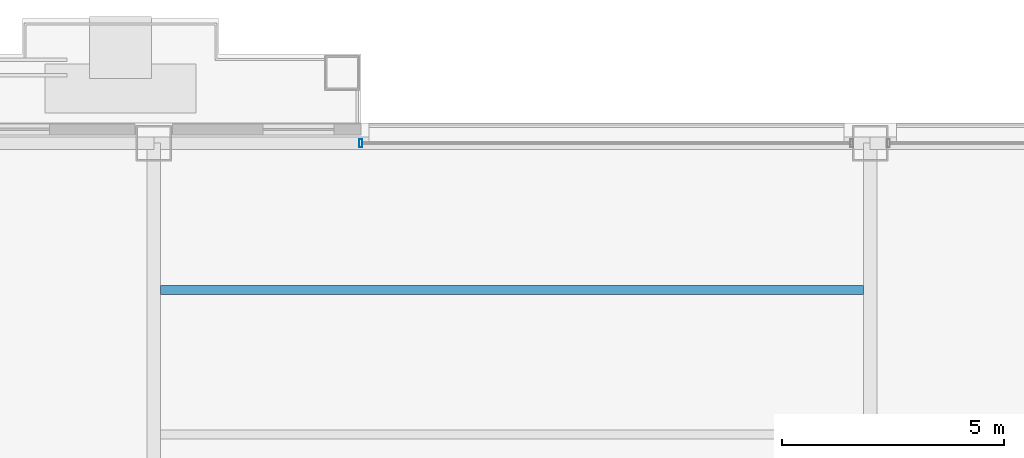
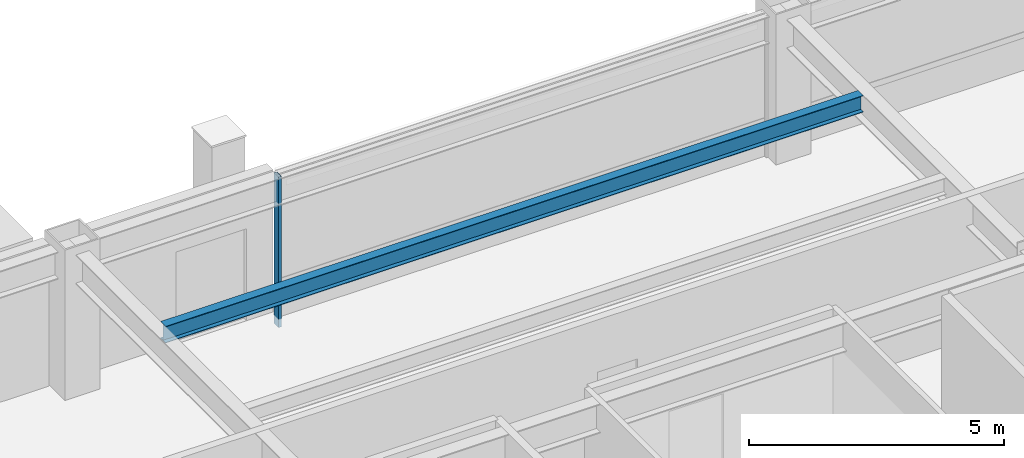
# One storey, part 21 of 35: 1 beam, 1 member, 1 element without a shape of its own.
"""IFC4 building model written with IfcOpenShell, lengths in metres."""

from ifc_helpers import new_model, si_unit, direction, frame, origin, origin_2d, place, context, subcontext, project, spatial, hollow_rectangle, i_section, extrude, material, layer, layer_set, material_profile, profile_set, type_object, element, aggregate, save


model = new_model("IFC4")

# Units and contexts
model_context = context("Model", 3, precision=1e-05, world=origin(), true_north=direction((0.0, 1.0)))
body_context = subcontext(model_context, "Body", "Model", "MODEL_VIEW")
ifc_project = project(units=[si_unit("LENGTHUNIT", "METRE"), si_unit("AREAUNIT", "SQUARE_METRE"), si_unit("VOLUMEUNIT", "CUBIC_METRE"), si_unit("PLANEANGLEUNIT", "RADIAN"), si_unit("MASSUNIT", "GRAM", prefix="KILO")], contexts=[model_context])

# Site, building, storey
site_placement = place(None, origin())
site = spatial("IfcSite", under=ifc_project, at=site_placement, CompositionType="ELEMENT")
building_placement = place(site_placement, origin())
building = spatial("IfcBuilding", under=site, at=building_placement, Name="Brelmoor Portico Tower", CompositionType="ELEMENT")
storey_placement = place(building_placement, frame((0.0, 0.0, 131.39990234375)))
storey = spatial("IfcBuildingStorey", under=building, at=storey_placement, Name="L34", CompositionType="ELEMENT", Elevation=131.39990234375)

# Beam
ifc_material_1 = material(Name="Steel Q355B", Category="steel")
ifc_material_profile_1 = material_profile(ifc_material_1, i_section(OverallWidth=0.199951171875, OverallDepth=0.39990234375, WebThickness=0.008056640625, FlangeThickness=0.012939453125, at=origin_2d()), Name="HN 400x200x8x13")
ifc_profile_set_1 = profile_set([ifc_material_profile_1], Name="Steel Q355B")
beam_type = type_object("IfcBeamType", Name="BM-JS-400", PredefinedType="JOIST", material=ifc_profile_set_1)
beam_placement = place(storey_placement, frame((-7.89990234375, 16.25, 3.2001953125), z_axis=(1.0, 0.0, 0.0), x_axis=(0.0, 1.0, 0.0)))
element("IfcBeam", 1, at=beam_placement, inside=storey, type_object=beam_type, Name="L34 Secondary Composite Joist JS-C04", PredefinedType="JOIST", context=body_context, shape_type="SweptSolid", body=[
    extrude(i_section(OverallWidth=0.199951171875, OverallDepth=0.39990234375, WebThickness=0.008056640625, FlangeThickness=0.012939453125, at=origin_2d()), origin(), (0.0, 0.0, 1.0), 15.7998046875),
])

# Curtain wall, member
ifc_material_2 = material(Name="Anodised Aluminium Alloy 6063-T6", Category="aluminium")
ifc_layer = layer(ifc_material_2, 0.179931640625)
ifc_layer_set = layer_set([ifc_layer], Name="Anodised Aluminium Alloy 6063-T6")
curtain_wall_type = type_object("IfcCurtainWallType", Name="CW-TOWER-Z2", PredefinedType="NOTDEFINED", material=ifc_layer_set)
curtain_wall_placement = place(storey_placement, origin())
curtain_wall = element("IfcCurtainWall", 2, at=curtain_wall_placement, inside=storey, type_object=curtain_wall_type, Name="L34 Curtain Wall CW-L34-2R-1", PredefinedType="NOTDEFINED")
ifc_material_profile_2 = material_profile(ifc_material_2, hollow_rectangle(XDim=0.06494140625, YDim=0.179931640625, WallThickness=0.00390625, at=origin_2d()), Name="ALU MULLION 65x180")
ifc_profile_set_2 = profile_set([ifc_material_profile_2], Name="Anodised Aluminium Alloy 6063-T6")
member_type = type_object("IfcMemberType", Name="MB-CW-MULL-180", PredefinedType="MULLION", material=ifc_profile_set_2)
member_placement = place(storey_placement, frame((-3.39990234375, 19.550048828125, -0.199951171875), z_axis=(0.0, 0.0, 1.0), x_axis=(1.0, 0.0, 0.0)))
member = element("IfcMember", 3, at=member_placement, type_object=member_type, Name="CW-L34-2R-1 Mullion 00", PredefinedType="MULLION", context=body_context, shape_type="SweptSolid", body=[
    extrude(hollow_rectangle(XDim=0.06494140625, YDim=0.179931640625, WallThickness=0.00390625, at=origin_2d()), origin(), (0.0, 0.0, 1.0), 3.60009765625),
])
aggregate(curtain_wall, [member])

save(model, "model.ifc")
